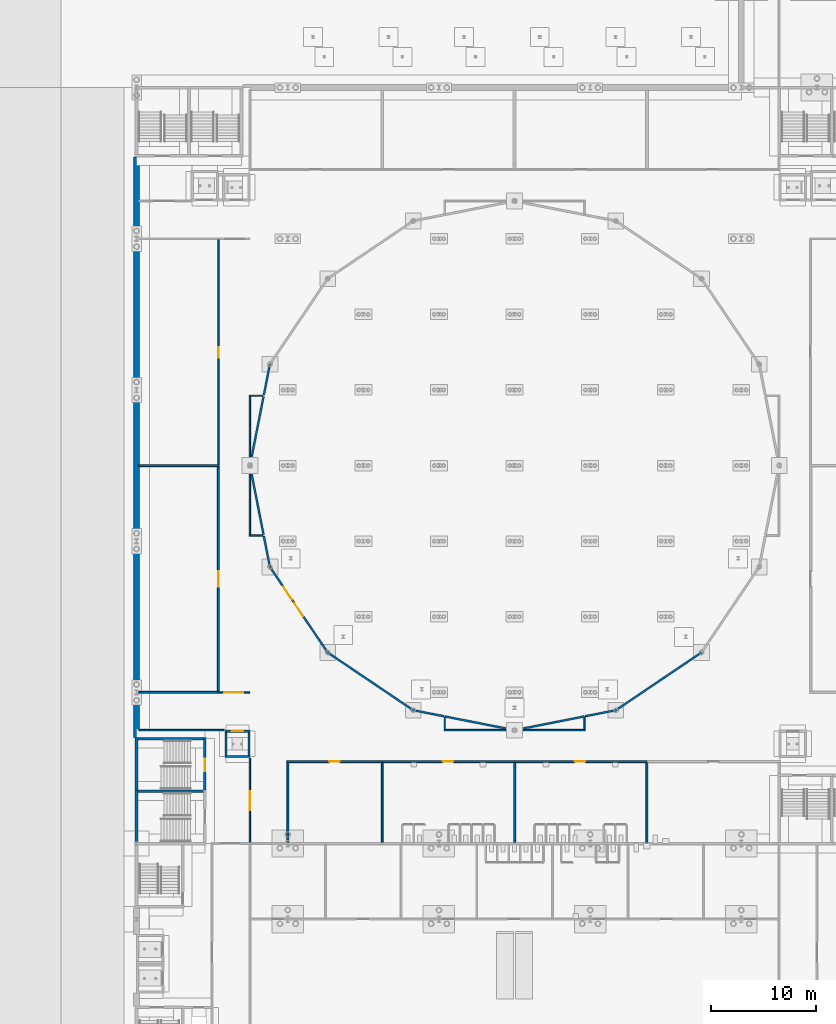
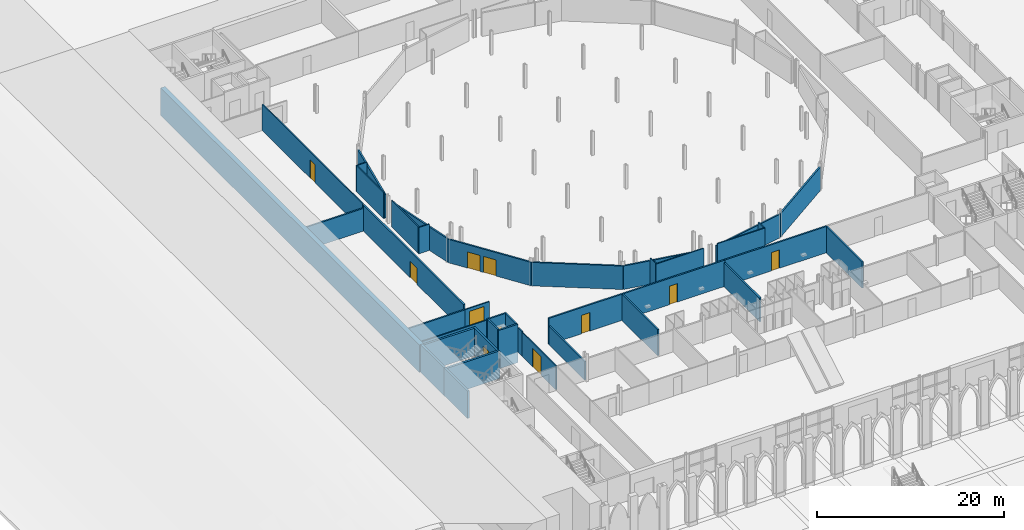
# One storey, part 81 of 148: 44 walls, 11 doors, 11 openings.
"""IFC4 building model written with IfcOpenShell, lengths in metres."""

from ifc_helpers import new_model, si_unit, direction, frame, frame_2d, origin, place, context, subcontext, project, spatial, rectangle, extrude, material, layer, layer_set, type_object, element, fill, save


model = new_model("IFC4")

# Units and contexts
model_context = context("Model", 3, precision=1e-05, world=origin(), true_north=direction((0.0, 1.0)))
body_context = subcontext(model_context, "Body", "Model", "MODEL_VIEW")
ifc_project = project(units=[si_unit("LENGTHUNIT", "METRE"), si_unit("AREAUNIT", "SQUARE_METRE"), si_unit("VOLUMEUNIT", "CUBIC_METRE"), si_unit("PLANEANGLEUNIT", "RADIAN"), si_unit("MASSUNIT", "GRAM", prefix="KILO")], contexts=[model_context])

# Site, building, storey
site_placement = place(None, origin())
site = spatial("IfcSite", under=ifc_project, at=site_placement, CompositionType="ELEMENT")
building_placement = place(site_placement, origin())
building = spatial("IfcBuilding", under=site, at=building_placement, Name="Kupolbacken Congress Centre", CompositionType="ELEMENT")
storey_placement = place(building_placement, origin())
storey = spatial("IfcBuildingStorey", under=building, at=storey_placement, Name="L00", CompositionType="ELEMENT", Elevation=0.0)

# Walls
ifc_material_1 = material(Name="Gypsum board", Category="drywall")
ifc_layer_1 = layer(ifc_material_1, 0.135009765625)
ifc_layer_set_1 = layer_set([ifc_layer_1], Name="Gypsum board")
wall_type_1 = type_object("IfcWallType", Name="P06 compartment wall 135", PredefinedType="PARTITIONING", material=ifc_layer_set_1)
wall_1_placement = place(storey_placement, frame((18.0, 58.5400390625, 0.0), z_axis=(0.0, 0.0, 1.0), x_axis=(0.0, -1.0, 0.0)))
element("IfcWall", 1, at=wall_1_placement, inside=storey, type_object=wall_type_1, Name="PD/L00/W004", PredefinedType="PARTITIONING", context=body_context, shape_type="SweptSolid", body=[
    extrude(rectangle(XDim=0.860107421875, YDim=0.135009765625, at=frame_2d((0.43017578125, 0.0))), origin(), (0.0, 0.0, 1.0), 3.2099609375),
])
wall_2_placement = place(storey_placement, frame((7.419921875, 61.199951171875, 0.0), z_axis=(0.0, 0.0, 1.0), x_axis=(1.0, 0.0, 0.0)))
element("IfcWall", 2, at=wall_2_placement, inside=storey, type_object=wall_type_1, Name="PD/L00/W005", PredefinedType="PARTITIONING", context=body_context, shape_type="SweptSolid", body=[
    extrude(rectangle(XDim=8.1201171875, YDim=0.135009765625, at=frame_2d((4.06005859375, 0.0))), origin(), (0.0, 0.0, 1.0), 3.419921875),
])

# Wall, opening, door
wall_3_placement = place(storey_placement, frame((15.0, 107.9326171875, 0.0), z_axis=(0.0, 0.0, 1.0), x_axis=(0.0, -1.0, 0.0)))
wall_3 = element("IfcWall", 3, at=wall_3_placement, inside=storey, type_object=wall_type_1, Name="PD/L00/W084", PredefinedType="PARTITIONING", context=body_context, shape_type="SweptSolid", body=[
    extrude(rectangle(XDim=21.4375, YDim=0.135009765625, at=frame_2d((10.71875, 0.0))), origin(), (0.0, 0.0, 1.0), 3.419921875),
])
opening_1_placement = place(wall_3_placement, frame((10.25, 0.0, 0.0)))
opening_1 = element("IfcOpeningElement", 4, at=opening_1_placement, cuts=wall_3, Name="Opening 0.P12", PredefinedType="OPENING", context=body_context, shape_type="SweptSolid", body=[
    extrude(rectangle(XDim=1.0, YDim=2.39990234375, at=frame_2d((0.5, 1.199951171875))), frame((0.0, 0.077392578125, 0.0), z_axis=(0.0, -1.0, 0.0), x_axis=(1.0, 0.0, 0.0)), (0.0, 0.0, 1.0), 0.155029296875),
])
ifc_material_2 = material(Name="Steel fire door leaf", Category="steel")
door_type_1 = type_object("IfcDoorType", Name="D8 fire door 1000x2400", OperationType="SINGLE_SWING_LEFT", PredefinedType="DOOR", material=ifc_material_2)
door_1_placement = place(opening_1_placement, frame((1.0, 0.0, 0.0), z_axis=(0.0, 0.0, 1.0), x_axis=(-1.0, 0.0, 0.0)))
door_1 = element("IfcDoor", 5, at=door_1_placement, inside=storey, type_object=door_type_1, Name="PD/L00/W084/D0P12", OperationType="SINGLE_SWING_RIGHT", OverallHeight=2.39990234375, OverallWidth=1.0, PredefinedType="DOOR", context=body_context, shape_type="SweptSolid", body=[
    extrude(rectangle(XDim=1.0, YDim=2.39990234375, at=frame_2d((0.5, 1.199951171875))), frame((0.0, 0.02490234375, 0.0), z_axis=(0.0, -1.0, 0.0), x_axis=(1.0, 0.0, 0.0)), (0.0, 0.0, 1.0), 0.050048828125),
])
fill(opening_1, door_1)

wall_4_placement = place(storey_placement, frame((15.0, 64.800048828125, 0.0), z_axis=(0.0, 0.0, 1.0), x_axis=(1.0, 0.0, 0.0)))
wall_4 = element("IfcWall", 6, at=wall_4_placement, inside=storey, type_object=wall_type_1, Name="PD/L00/W105", PredefinedType="PARTITIONING", context=body_context, shape_type="SweptSolid", body=[
    extrude(rectangle(XDim=3.0, YDim=0.135009765625, at=frame_2d((1.5, 0.0))), origin(), (0.0, 0.0, 1.0), 2.81005859375),
])
opening_2_placement = place(wall_4_placement, frame((0.550048828125, 0.0, 0.0)))
opening_2 = element("IfcOpeningElement", 7, at=opening_2_placement, cuts=wall_4, Name="Opening 0.P28", PredefinedType="OPENING", context=body_context, shape_type="SweptSolid", body=[
    extrude(rectangle(XDim=1.800048828125, YDim=2.39990234375, at=frame_2d((0.89990234375, 1.199951171875))), frame((0.0, 0.077392578125, 0.0), z_axis=(0.0, -1.0, 0.0), x_axis=(1.0, 0.0, 0.0)), (0.0, 0.0, 1.0), 0.155029296875),
])
ifc_material_3 = material(Name="Steel fire door leaf", Category="steel")
door_type_2 = type_object("IfcDoorType", Name="D15 fire door 1800x2400", OperationType="DOUBLE_DOOR_SINGLE_SWING", PredefinedType="DOOR", material=ifc_material_3)
door_2_placement = place(opening_2_placement, origin())
door_2 = element("IfcDoor", 8, at=door_2_placement, inside=storey, type_object=door_type_2, Name="PD/L00/W105/D0P28", OperationType="DOUBLE_DOOR_SINGLE_SWING", OverallHeight=2.39990234375, OverallWidth=1.800048828125, PredefinedType="DOOR", context=body_context, shape_type="SweptSolid", body=[
    extrude(rectangle(XDim=1.800048828125, YDim=2.39990234375, at=frame_2d((0.89990234375, 1.199951171875))), frame((0.0, 0.02490234375, 0.0), z_axis=(0.0, -1.0, 0.0), x_axis=(1.0, 0.0, 0.0)), (0.0, 0.0, 1.0), 0.050048828125),
])
fill(opening_2, door_2)

# Walls
wall_5_placement = place(storey_placement, frame((18.0, 85.550048828125, 0.0), z_axis=(0.0, 0.0, 1.0), x_axis=(0.0, -1.0, 0.0)))
element("IfcWall", 9, at=wall_5_placement, inside=storey, type_object=wall_type_1, Name="PD/L00/W107", PredefinedType="PARTITIONING", context=body_context, shape_type="SweptSolid", body=[
    extrude(rectangle(XDim=5.732666015625, YDim=0.135009765625, at=frame_2d((2.8662109375, 0.0))), origin(), (0.0, 0.0, 1.0), 3.419921875),
])
wall_6_placement = place(storey_placement, frame((18.0, 92.982421875, 0.0), z_axis=(0.0, 0.0, 1.0), x_axis=(0.0, -1.0, 0.0)))
element("IfcWall", 10, at=wall_6_placement, inside=storey, type_object=wall_type_1, Name="PD/L00/W108", PredefinedType="PARTITIONING", context=body_context, shape_type="SweptSolid", body=[
    extrude(rectangle(XDim=5.732421875, YDim=0.135009765625, at=frame_2d((2.8662109375, 0.0))), origin(), (0.0, 0.0, 1.0), 3.419921875),
])
wall_7_placement = place(storey_placement, frame((36.482421875, 61.199951171875, 0.0), z_axis=(0.0, 0.0, 1.0), x_axis=(1.0, 0.0, 0.0)))
element("IfcWall", 11, at=wall_7_placement, inside=storey, type_object=wall_type_1, Name="PD/L00/W113", PredefinedType="PARTITIONING", context=body_context, shape_type="SweptSolid", body=[
    extrude(rectangle(XDim=5.86767578125, YDim=0.135009765625, at=frame_2d((2.933837890625, 0.0))), origin(), (0.0, 0.0, 1.0), 3.419921875),
])
wall_8_placement = place(storey_placement, frame((44.050048828125, 61.199951171875, 0.0), z_axis=(0.0, 0.0, 1.0), x_axis=(1.0, 0.0, 0.0)))
element("IfcWall", 12, at=wall_8_placement, inside=storey, type_object=wall_type_1, Name="PD/L00/W114", PredefinedType="PARTITIONING", context=body_context, shape_type="SweptSolid", body=[
    extrude(rectangle(XDim=5.867431640625, YDim=0.135009765625, at=frame_2d((2.93359375, 0.0))), origin(), (0.0, 0.0, 1.0), 3.419921875),
])
wall_9_placement = place(storey_placement, frame((36.550048828125, 62.414306640625, 0.0), z_axis=(0.0, 0.0, 1.0), x_axis=(0.0, -1.0, 0.0)))
element("IfcWall", 13, at=wall_9_placement, inside=storey, type_object=wall_type_1, Name="PD/L00/W115", PredefinedType="PARTITIONING", context=body_context, shape_type="SweptSolid", body=[
    extrude(rectangle(XDim=1.146728515625, YDim=0.135009765625, at=frame_2d((0.5732421875, 0.0))), origin(), (0.0, 0.0, 1.0), 3.419921875),
])
wall_10_placement = place(storey_placement, frame((17.9326171875, 79.75, 0.0), z_axis=(0.0, 0.0, 1.0), x_axis=(1.0, 0.0, 0.0)))
element("IfcWall", 14, at=wall_10_placement, inside=storey, type_object=wall_type_1, Name="PD/L00/W116", PredefinedType="PARTITIONING", context=body_context, shape_type="SweptSolid", body=[
    extrude(rectangle(XDim=1.28173828125, YDim=0.135009765625, at=frame_2d((0.640869140625, 0.0))), origin(), (0.0, 0.0, 1.0), 3.419921875),
])
wall_11_placement = place(storey_placement, frame((49.85009765625, 61.267578125, 0.0), z_axis=(0.0, 0.0, 1.0), x_axis=(0.0, 1.0, 0.0)))
element("IfcWall", 15, at=wall_11_placement, inside=storey, type_object=wall_type_1, Name="PD/L00/W117", PredefinedType="PARTITIONING", context=body_context, shape_type="SweptSolid", body=[
    extrude(rectangle(XDim=1.146728515625, YDim=0.135009765625, at=frame_2d((0.5732421875, 0.0))), origin(), (0.0, 0.0, 1.0), 3.419921875),
])
wall_12_placement = place(storey_placement, frame((19.21435546875, 93.050048828125, 0.0), z_axis=(0.0, 0.0, 1.0), x_axis=(-1.0, 0.0, 0.0)))
element("IfcWall", 16, at=wall_12_placement, inside=storey, type_object=wall_type_1, Name="PD/L00/W120", PredefinedType="PARTITIONING", context=body_context, shape_type="SweptSolid", body=[
    extrude(rectangle(XDim=1.28173828125, YDim=0.135009765625, at=frame_2d((0.640869140625, 0.0))), origin(), (0.0, 0.0, 1.0), 3.419921875),
])

# Wall, opening, door
wall_13_placement = place(storey_placement, frame((18.0, 57.679931640625, 0.0), z_axis=(0.0, 0.0, 1.0), x_axis=(0.0, -1.0, 0.0)))
wall_13 = element("IfcWall", 17, at=wall_13_placement, inside=storey, type_object=wall_type_1, Name="PD/L00/W004.h1", PredefinedType="PARTITIONING", context=body_context, shape_type="SweptSolid", body=[
    extrude(rectangle(XDim=7.21240234375, YDim=0.135009765625, at=frame_2d((3.606201171875, 0.0))), origin(), (0.0, 0.0, 1.0), 3.110107421875),
])
opening_3_placement = place(wall_13_placement, frame((2.2900390625, 0.0, 0.0)))
opening_3 = element("IfcOpeningElement", 18, at=opening_3_placement, cuts=wall_13, Name="Opening 0.P29", PredefinedType="OPENING", context=body_context, shape_type="SweptSolid", body=[
    extrude(rectangle(XDim=1.800048828125, YDim=2.39990234375, at=frame_2d((0.89990234375, 1.199951171875))), frame((0.0, 0.077392578125, 0.0), z_axis=(0.0, -1.0, 0.0), x_axis=(1.0, 0.0, 0.0)), (0.0, 0.0, 1.0), 0.155029296875),
])
door_3_placement = place(opening_3_placement, origin())
door_3 = element("IfcDoor", 19, at=door_3_placement, inside=storey, type_object=door_type_2, Name="PD/L00/W004/D0P29", OperationType="DOUBLE_DOOR_SINGLE_SWING", OverallHeight=2.39990234375, OverallWidth=1.800048828125, PredefinedType="DOOR", context=body_context, shape_type="SweptSolid", body=[
    extrude(rectangle(XDim=1.800048828125, YDim=2.39990234375, at=frame_2d((0.89990234375, 1.199951171875))), frame((0.0, 0.02490234375, 0.0), z_axis=(0.0, -1.0, 0.0), x_axis=(1.0, 0.0, 0.0)), (0.0, 0.0, 1.0), 0.050048828125),
])
fill(opening_3, door_3)

# Walls
ifc_material_4 = material(Name="Gypsum board", Category="drywall")
ifc_layer_2 = layer(ifc_material_4, 0.18994140625)
ifc_layer_set_2 = layer_set([ifc_layer_2], Name="Gypsum board")
wall_type_2 = type_object("IfcWallType", Name="P10 partition 190", PredefinedType="PARTITIONING", material=ifc_layer_set_2)
wall_14_placement = place(storey_placement, frame((36.48388671875, 62.5224609375, 0.0), z_axis=(0.0, 0.0, 1.0), x_axis=(-0.98116351696, 0.193179069745, 0.0)))
element("IfcWall", 20, at=wall_14_placement, inside=storey, type_object=wall_type_2, Name="PD/L00/W056", PredefinedType="PARTITIONING", context=body_context, shape_type="SweptSolid", body=[
    extrude(rectangle(XDim=2.990234375, YDim=0.18994140625, at=frame_2d((1.4951171875, 0.0))), origin(), (0.0, 0.0, 1.0), 3.06005859375),
])
wall_15_placement = place(storey_placement, frame((33.550048828125, 63.10009765625, 0.0), z_axis=(0.0, 0.0, 1.0), x_axis=(-0.828912285216, 0.559378604719, 0.0)))
element("IfcWall", 21, at=wall_15_placement, inside=storey, type_object=wall_type_2, Name="PD/L00/W057", PredefinedType="PARTITIONING", context=body_context, shape_type="SweptSolid", body=[
    extrude(rectangle(XDim=9.832275390625, YDim=0.18994140625, at=frame_2d((4.916015625, 0.0))), origin(), (0.0, 0.0, 1.0), 3.06005859375),
])

# Wall, openings, doors
wall_16_placement = place(storey_placement, frame((25.39990234375, 68.60009765625, 0.0), z_axis=(0.0, 0.0, 1.0), x_axis=(-0.559390118145, 0.828904515443, 0.0)))
wall_16 = element("IfcWall", 22, at=wall_16_placement, inside=storey, type_object=wall_type_2, Name="PD/L00/W058", PredefinedType="PARTITIONING", context=body_context, shape_type="SweptSolid", body=[
    extrude(rectangle(XDim=9.83203125, YDim=0.18994140625, at=frame_2d((4.916015625, 0.0))), origin(), (0.0, 0.0, 1.0), 3.06005859375),
])
opening_4_placement = place(wall_16_placement, frame((4.14990234375, 0.0, 0.0)))
opening_4 = element("IfcOpeningElement", 23, at=opening_4_placement, cuts=wall_16, Name="Opening 0.P09", PredefinedType="OPENING", context=body_context, shape_type="SweptSolid", body=[
    extrude(rectangle(XDim=1.5, YDim=2.10009765625, at=frame_2d((0.75, 1.050048828125))), frame((0.0, 0.10498046875, 0.0), z_axis=(0.0, -1.0, 0.0), x_axis=(1.0, 0.0, 0.0)), (0.0, 0.0, 1.0), 0.2099609375),
])
opening_5_placement = place(wall_16_placement, frame((6.050048828125, 0.0, 0.0)))
opening_5 = element("IfcOpeningElement", 24, at=opening_5_placement, cuts=wall_16, Name="Opening 0.P10", PredefinedType="OPENING", context=body_context, shape_type="SweptSolid", body=[
    extrude(rectangle(XDim=1.5, YDim=2.10009765625, at=frame_2d((0.75, 1.050048828125))), frame((0.0, 0.10498046875, 0.0), z_axis=(0.0, -1.0, 0.0), x_axis=(1.0, 0.0, 0.0)), (0.0, 0.0, 1.0), 0.2099609375),
])
ifc_material_5 = material(Name="Steel fire door leaf", Category="steel")
door_type_3 = type_object("IfcDoorType", Name="D12 fire door 1500x2100", OperationType="DOUBLE_DOOR_SINGLE_SWING", PredefinedType="DOOR", material=ifc_material_5)
door_4_placement = place(opening_4_placement, origin())
door_4 = element("IfcDoor", 25, at=door_4_placement, inside=storey, type_object=door_type_3, Name="PD/L00/W058/D0P09", OperationType="DOUBLE_DOOR_SINGLE_SWING", OverallHeight=2.10009765625, OverallWidth=1.5, PredefinedType="DOOR", context=body_context, shape_type="SweptSolid", body=[
    extrude(rectangle(XDim=1.5, YDim=2.10009765625, at=frame_2d((0.75, 1.050048828125))), frame((0.0, 0.02490234375, 0.0), z_axis=(0.0, -1.0, 0.0), x_axis=(1.0, 0.0, 0.0)), (0.0, 0.0, 1.0), 0.050048828125),
])
fill(opening_4, door_4)
door_5_placement = place(opening_5_placement, origin())
door_5 = element("IfcDoor", 26, at=door_5_placement, inside=storey, type_object=door_type_3, Name="PD/L00/W058/D0P10", OperationType="DOUBLE_DOOR_SINGLE_SWING", OverallHeight=2.10009765625, OverallWidth=1.5, PredefinedType="DOOR", context=body_context, shape_type="SweptSolid", body=[
    extrude(rectangle(XDim=1.5, YDim=2.10009765625, at=frame_2d((0.75, 1.050048828125))), frame((0.0, 0.02490234375, 0.0), z_axis=(0.0, -1.0, 0.0), x_axis=(1.0, 0.0, 0.0)), (0.0, 0.0, 1.0), 0.050048828125),
])
fill(opening_5, door_5)

# Walls
wall_17_placement = place(storey_placement, frame((19.89990234375, 76.75, 0.0), z_axis=(0.0, 0.0, 1.0), x_axis=(-0.193179069745, 0.98116351696, 0.0)))
element("IfcWall", 27, at=wall_17_placement, inside=storey, type_object=wall_type_2, Name="PD/L00/W059", PredefinedType="PARTITIONING", context=body_context, shape_type="SweptSolid", body=[
    extrude(rectangle(XDim=2.990234375, YDim=0.18994140625, at=frame_2d((1.4951171875, 0.0))), origin(), (0.0, 0.0, 1.0), 3.06005859375),
])
wall_18_placement = place(storey_placement, frame((42.365966796875, 61.3642578125, 0.0), z_axis=(0.0, 0.0, 1.0), x_axis=(-0.981165545066, 0.193168768632, 0.0)))
element("IfcWall", 28, at=wall_18_placement, inside=storey, type_object=wall_type_2, Name="PD/L00/W060", PredefinedType="PARTITIONING", context=body_context, shape_type="SweptSolid", body=[
    extrude(rectangle(XDim=5.927490234375, YDim=0.18994140625, at=frame_2d((2.9638671875, 0.0))), origin(), (0.0, 0.0, 1.0), 3.06005859375),
])
wall_19_placement = place(storey_placement, frame((19.29638671875, 79.816162109375, 0.0), z_axis=(0.0, 0.0, 1.0), x_axis=(-0.193182951231, 0.981162752735, 0.0)))
element("IfcWall", 29, at=wall_19_placement, inside=storey, type_object=wall_type_2, Name="PD/L00/W061", PredefinedType="PARTITIONING", context=body_context, shape_type="SweptSolid", body=[
    extrude(rectangle(XDim=5.860107421875, YDim=0.18994140625, at=frame_2d((2.93017578125, 0.0))), origin(), (0.0, 0.0, 1.0), 3.06005859375),
])
wall_20_placement = place(storey_placement, frame((61.0, 68.60009765625, 0.0), z_axis=(0.0, 0.0, 1.0), x_axis=(-0.828904515443, -0.559390118145, 0.0)))
element("IfcWall", 30, at=wall_20_placement, inside=storey, type_object=wall_type_2, Name="PD/L00/W064", PredefinedType="PARTITIONING", context=body_context, shape_type="SweptSolid", body=[
    extrude(rectangle(XDim=9.83203125, YDim=0.18994140625, at=frame_2d((4.916015625, 0.0))), origin(), (0.0, 0.0, 1.0), 3.06005859375),
])
wall_21_placement = place(storey_placement, frame((52.85009765625, 63.10009765625, 0.0), z_axis=(0.0, 0.0, 1.0), x_axis=(-0.98116351696, -0.193179069745, 0.0)))
element("IfcWall", 31, at=wall_21_placement, inside=storey, type_object=wall_type_2, Name="PD/L00/W065", PredefinedType="PARTITIONING", context=body_context, shape_type="SweptSolid", body=[
    extrude(rectangle(XDim=2.990234375, YDim=0.18994140625, at=frame_2d((1.4951171875, 0.0))), origin(), (0.0, 0.0, 1.0), 3.06005859375),
])
wall_22_placement = place(storey_placement, frame((49.85009765625, 62.50927734375, 0.0), z_axis=(0.0, 0.0, 1.0), x_axis=(-0.981167081846, -0.193160962677, 0.0)))
element("IfcWall", 32, at=wall_22_placement, inside=storey, type_object=wall_type_2, Name="PD/L00/W066", PredefinedType="PARTITIONING", context=body_context, shape_type="SweptSolid", body=[
    extrude(rectangle(XDim=5.927734375, YDim=0.18994140625, at=frame_2d((2.9638671875, 0.0))), origin(), (0.0, 0.0, 1.0), 3.06005859375),
])
wall_23_placement = place(storey_placement, frame((19.322265625, 93.1162109375, 0.0), z_axis=(0.0, 0.0, 1.0), x_axis=(0.193179069745, 0.98116351696, 0.0)))
element("IfcWall", 33, at=wall_23_placement, inside=storey, type_object=wall_type_2, Name="PD/L00/W068", PredefinedType="PARTITIONING", context=body_context, shape_type="SweptSolid", body=[
    extrude(rectangle(XDim=2.990234375, YDim=0.18994140625, at=frame_2d((1.4951171875, 0.0))), origin(), (0.0, 0.0, 1.0), 3.06005859375),
])
wall_24_placement = place(storey_placement, frame((18.164306640625, 87.23388671875, 0.0), z_axis=(0.0, 0.0, 1.0), x_axis=(0.193175054921, 0.981164307421, 0.0)))
element("IfcWall", 34, at=wall_24_placement, inside=storey, type_object=wall_type_2, Name="PD/L00/W073", PredefinedType="PARTITIONING", context=body_context, shape_type="SweptSolid", body=[
    extrude(rectangle(XDim=5.8603515625, YDim=0.18994140625, at=frame_2d((2.93017578125, 0.0))), origin(), (0.0, 0.0, 1.0), 3.06005859375),
])
wall_25_placement = place(storey_placement, frame((7.419921875, 86.39990234375, 0.0), z_axis=(0.0, 0.0, 1.0), x_axis=(1.0, 0.0, 0.0)))
element("IfcWall", 35, at=wall_25_placement, inside=storey, type_object=wall_type_2, Name="PD/L00/W080", PredefinedType="PARTITIONING", context=body_context, shape_type="SweptSolid", body=[
    extrude(rectangle(XDim=7.675048828125, YDim=0.18994140625, at=frame_2d((3.83740234375, 0.0))), origin(), (0.0, 0.0, 1.0), 2.9599609375),
])
wall_26_placement = place(storey_placement, frame((15.0, 64.800048828125, 0.0), z_axis=(0.0, 0.0, 1.0), x_axis=(-1.0, 0.0, 0.0)))
element("IfcWall", 36, at=wall_26_placement, inside=storey, type_object=wall_type_2, Name="PD/L00/W081", PredefinedType="PARTITIONING", context=body_context, shape_type="SweptSolid", body=[
    extrude(rectangle(XDim=7.580078125, YDim=0.18994140625, at=frame_2d((3.7900390625, 0.0))), origin(), (0.0, 0.0, 1.0), 2.81005859375),
])

# Wall, opening, door
wall_27_placement = place(storey_placement, frame((15.0, 86.304931640625, 0.0), z_axis=(0.0, 0.0, 1.0), x_axis=(0.0, -1.0, 0.0)))
wall_27 = element("IfcWall", 37, at=wall_27_placement, inside=storey, type_object=wall_type_2, Name="PD/L00/W082", PredefinedType="PARTITIONING", context=body_context, shape_type="SweptSolid", body=[
    extrude(rectangle(XDim=21.409912109375, YDim=0.18994140625, at=frame_2d((10.705078125, 0.0))), origin(), (0.0, 0.0, 1.0), 3.419921875),
])
opening_6_placement = place(wall_27_placement, frame((9.949951171875, 0.0, 0.0)))
opening_6 = element("IfcOpeningElement", 38, at=opening_6_placement, cuts=wall_27, Name="Opening 0.P11", PredefinedType="OPENING", context=body_context, shape_type="SweptSolid", body=[
    extrude(rectangle(XDim=1.5, YDim=2.10009765625, at=frame_2d((0.75, 1.050048828125))), frame((0.0, 0.10498046875, 0.0), z_axis=(0.0, -1.0, 0.0), x_axis=(1.0, 0.0, 0.0)), (0.0, 0.0, 1.0), 0.2099609375),
])
door_6_placement = place(opening_6_placement, frame((1.5, 0.0, 0.0), z_axis=(0.0, 0.0, 1.0), x_axis=(-1.0, 0.0, 0.0)))
door_6 = element("IfcDoor", 39, at=door_6_placement, inside=storey, type_object=door_type_3, Name="PD/L00/W082/D0P11", OperationType="DOUBLE_DOOR_SINGLE_SWING", OverallHeight=2.10009765625, OverallWidth=1.5, PredefinedType="DOOR", context=body_context, shape_type="SweptSolid", body=[
    extrude(rectangle(XDim=1.5, YDim=2.10009765625, at=frame_2d((0.75, 1.050048828125))), frame((0.0, 0.02490234375, 0.0), z_axis=(0.0, -1.0, 0.0), x_axis=(1.0, 0.0, 0.0)), (0.0, 0.0, 1.0), 0.050048828125),
])
fill(opening_6, door_6)

# Walls
wall_28_placement = place(storey_placement, frame((30.60009765625, 58.10498046875, 0.0), z_axis=(0.0, 0.0, 1.0), x_axis=(0.0, -1.0, 0.0)))
element("IfcWall", 40, at=wall_28_placement, inside=storey, type_object=wall_type_2, Name="PD/L00/W097", PredefinedType="PARTITIONING", context=body_context, shape_type="SweptSolid", body=[
    extrude(rectangle(XDim=7.60986328125, YDim=0.18994140625, at=frame_2d((3.804931640625, 0.0))), origin(), (0.0, 0.0, 1.0), 3.419921875),
])
wall_29_placement = place(storey_placement, frame((21.60009765625, 50.4951171875, 0.0), z_axis=(0.0, 0.0, 1.0), x_axis=(0.0, 1.0, 0.0)))
element("IfcWall", 41, at=wall_29_placement, inside=storey, type_object=wall_type_2, Name="PD/L00/W098", PredefinedType="PARTITIONING", context=body_context, shape_type="SweptSolid", body=[
    extrude(rectangle(XDim=7.60986328125, YDim=0.18994140625, at=frame_2d((3.804931640625, 0.0))), origin(), (0.0, 0.0, 1.0), 2.409912109375),
])

# Wall, opening, door
wall_30_placement = place(storey_placement, frame((21.5048828125, 58.199951171875, 0.0), z_axis=(0.0, 0.0, 1.0), x_axis=(1.0, 0.0, 0.0)))
wall_30 = element("IfcWall", 42, at=wall_30_placement, inside=storey, type_object=wall_type_2, Name="PD/L00/W099", PredefinedType="PARTITIONING", context=body_context, shape_type="SweptSolid", body=[
    extrude(rectangle(XDim=9.09521484375, YDim=0.18994140625, at=frame_2d((4.547607421875, 0.0))), origin(), (0.0, 0.0, 1.0), 3.419921875),
])
opening_7_placement = place(wall_30_placement, frame((4.050048828125, 0.0, 0.0)))
opening_7 = element("IfcOpeningElement", 43, at=opening_7_placement, cuts=wall_30, Name="Opening 0.P19", PredefinedType="OPENING", context=body_context, shape_type="SweptSolid", body=[
    extrude(rectangle(XDim=1.0, YDim=2.39990234375, at=frame_2d((0.5, 1.199951171875))), frame((0.0, 0.10498046875, 0.0), z_axis=(0.0, -1.0, 0.0), x_axis=(1.0, 0.0, 0.0)), (0.0, 0.0, 1.0), 0.2099609375),
])
door_7_placement = place(opening_7_placement, frame((1.0, 0.0, 0.0), z_axis=(0.0, 0.0, 1.0), x_axis=(-1.0, 0.0, 0.0)))
door_7 = element("IfcDoor", 44, at=door_7_placement, inside=storey, type_object=door_type_1, Name="PD/L00/W099/D0P19", OperationType="SINGLE_SWING_RIGHT", OverallHeight=2.39990234375, OverallWidth=1.0, PredefinedType="DOOR", context=body_context, shape_type="SweptSolid", body=[
    extrude(rectangle(XDim=1.0, YDim=2.39990234375, at=frame_2d((0.5, 1.199951171875))), frame((0.0, 0.02490234375, 0.0), z_axis=(0.0, -1.0, 0.0), x_axis=(1.0, 0.0, 0.0)), (0.0, 0.0, 1.0), 0.050048828125),
])
fill(opening_7, door_7)

# Wall
wall_31_placement = place(storey_placement, frame((43.199951171875, 58.10498046875, 0.0), z_axis=(0.0, 0.0, 1.0), x_axis=(0.0, -1.0, 0.0)))
element("IfcWall", 45, at=wall_31_placement, inside=storey, type_object=wall_type_2, Name="PD/L00/W100", PredefinedType="PARTITIONING", context=body_context, shape_type="SweptSolid", body=[
    extrude(rectangle(XDim=7.60986328125, YDim=0.18994140625, at=frame_2d((3.804931640625, 0.0))), origin(), (0.0, 0.0, 1.0), 3.110107421875),
])

# Wall, opening, door
wall_32_placement = place(storey_placement, frame((30.60009765625, 58.199951171875, 0.0), z_axis=(0.0, 0.0, 1.0), x_axis=(1.0, 0.0, 0.0)))
wall_32 = element("IfcWall", 46, at=wall_32_placement, inside=storey, type_object=wall_type_2, Name="PD/L00/W101", PredefinedType="PARTITIONING", context=body_context, shape_type="SweptSolid", body=[
    extrude(rectangle(XDim=12.599853515625, YDim=0.18994140625, at=frame_2d((6.2998046875, 0.0))), origin(), (0.0, 0.0, 1.0), 3.419921875),
])
opening_8_placement = place(wall_32_placement, frame((5.75, 0.0, 0.0)))
opening_8 = element("IfcOpeningElement", 47, at=opening_8_placement, cuts=wall_32, Name="Opening 0.P20", PredefinedType="OPENING", context=body_context, shape_type="SweptSolid", body=[
    extrude(rectangle(XDim=1.0, YDim=2.39990234375, at=frame_2d((0.5, 1.199951171875))), frame((0.0, 0.10498046875, 0.0), z_axis=(0.0, -1.0, 0.0), x_axis=(1.0, 0.0, 0.0)), (0.0, 0.0, 1.0), 0.2099609375),
])
door_8_placement = place(opening_8_placement, frame((1.0, 0.0, 0.0), z_axis=(0.0, 0.0, 1.0), x_axis=(-1.0, 0.0, 0.0)))
door_8 = element("IfcDoor", 48, at=door_8_placement, inside=storey, type_object=door_type_1, Name="PD/L00/W101/D0P20", OperationType="SINGLE_SWING_LEFT", OverallHeight=2.39990234375, OverallWidth=1.0, PredefinedType="DOOR", context=body_context, shape_type="SweptSolid", body=[
    extrude(rectangle(XDim=1.0, YDim=2.39990234375, at=frame_2d((0.5, 1.199951171875))), frame((0.0, 0.02490234375, 0.0), z_axis=(0.0, -1.0, 0.0), x_axis=(1.0, 0.0, 0.0)), (0.0, 0.0, 1.0), 0.050048828125),
])
fill(opening_8, door_8)

# Wall
wall_33_placement = place(storey_placement, frame((55.800048828125, 58.10498046875, 0.0), z_axis=(0.0, 0.0, 1.0), x_axis=(0.0, -1.0, 0.0)))
element("IfcWall", 49, at=wall_33_placement, inside=storey, type_object=wall_type_2, Name="PD/L00/W102", PredefinedType="PARTITIONING", context=body_context, shape_type="SweptSolid", body=[
    extrude(rectangle(XDim=7.60986328125, YDim=0.18994140625, at=frame_2d((3.804931640625, 0.0))), origin(), (0.0, 0.0, 1.0), 3.419921875),
])

# Wall, opening, door
wall_34_placement = place(storey_placement, frame((43.199951171875, 58.199951171875, 0.0), z_axis=(0.0, 0.0, 1.0), x_axis=(1.0, 0.0, 0.0)))
wall_34 = element("IfcWall", 50, at=wall_34_placement, inside=storey, type_object=wall_type_2, Name="PD/L00/W103", PredefinedType="PARTITIONING", context=body_context, shape_type="SweptSolid", body=[
    extrude(rectangle(XDim=12.60009765625, YDim=0.18994140625, at=frame_2d((6.300048828125, 0.0))), origin(), (0.0, 0.0, 1.0), 3.419921875),
])
opening_9_placement = place(wall_34_placement, frame((5.75, 0.0, 0.0)))
opening_9 = element("IfcOpeningElement", 51, at=opening_9_placement, cuts=wall_34, Name="Opening 0.P21", PredefinedType="OPENING", context=body_context, shape_type="SweptSolid", body=[
    extrude(rectangle(XDim=1.0, YDim=2.39990234375, at=frame_2d((0.5, 1.199951171875))), frame((0.0, 0.10498046875, 0.0), z_axis=(0.0, -1.0, 0.0), x_axis=(1.0, 0.0, 0.0)), (0.0, 0.0, 1.0), 0.2099609375),
])
door_9_placement = place(opening_9_placement, frame((1.0, 0.0, 0.0), z_axis=(0.0, 0.0, 1.0), x_axis=(-1.0, 0.0, 0.0)))
door_9 = element("IfcDoor", 52, at=door_9_placement, inside=storey, type_object=door_type_1, Name="PD/L00/W103/D0P21", OperationType="SINGLE_SWING_LEFT", OverallHeight=2.39990234375, OverallWidth=1.0, PredefinedType="DOOR", context=body_context, shape_type="SweptSolid", body=[
    extrude(rectangle(XDim=1.0, YDim=2.39990234375, at=frame_2d((0.5, 1.199951171875))), frame((0.0, 0.02490234375, 0.0), z_axis=(0.0, -1.0, 0.0), x_axis=(1.0, 0.0, 0.0)), (0.0, 0.0, 1.0), 0.050048828125),
])
fill(opening_9, door_9)

# Walls
ifc_material_6 = material(Name="Concrete C30/37", Category="concrete")
ifc_layer_3 = layer(ifc_material_6, 0.550048828125)
ifc_layer_set_3 = layer_set([ifc_layer_3], Name="Concrete C30/37")
wall_type_3 = type_object("IfcWallType", Name="RW3 retaining wall 550", PredefinedType="SOLIDWALL", material=ifc_layer_set_3)
wall_35_placement = place(storey_placement, frame((7.199951171875, 60.52490234375, 0.0), z_axis=(0.0, 0.0, 1.0), x_axis=(0.0, 1.0, 0.0)))
element("IfcWall", 53, at=wall_35_placement, inside=storey, type_object=wall_type_3, Name="Retaining wall BF08 L00", PredefinedType="SOLIDWALL", context=body_context, shape_type="SweptSolid", body=[
    extrude(rectangle(XDim=55.25, YDim=0.550048828125, at=frame_2d((27.625, 0.0))), origin(), (0.0, 0.0, 1.0), 3.60009765625),
])
ifc_material_7 = material(Name="Concrete C40/50", Category="concrete")
ifc_layer_4 = layer(ifc_material_7, 0.199951171875)
ifc_layer_set_4 = layer_set([ifc_layer_4], Name="Concrete C40/50")
wall_type_4 = type_object("IfcWallType", Name="WC1 RC shaft wall 200", PredefinedType="SHEAR", material=ifc_layer_set_4)
wall_36_placement = place(storey_placement, frame((15.60009765625, 58.699951171875, -1.39990234375), z_axis=(0.0, 0.0, 1.0), x_axis=(1.0, 0.0, 0.0)))
element("IfcWall", 54, at=wall_36_placement, inside=storey, type_object=wall_type_4, Name="Shaft wall LP5", PredefinedType="SHEAR", context=body_context, shape_type="SweptSolid", body=[
    extrude(rectangle(XDim=2.39990234375, YDim=0.199951171875, at=frame_2d((1.199951171875, 0.0))), origin(), (0.0, 0.0, 1.0), 5.0),
])

# Wall, opening, door
wall_37_placement = place(storey_placement, frame((15.60009765625, 61.10009765625, -1.39990234375), z_axis=(0.0, 0.0, 1.0), x_axis=(1.0, 0.0, 0.0)))
wall_37 = element("IfcWall", 55, at=wall_37_placement, inside=storey, type_object=wall_type_4, Name="Shaft wall LP5", PredefinedType="SHEAR", context=body_context, shape_type="SweptSolid", body=[
    extrude(rectangle(XDim=2.39990234375, YDim=0.199951171875, at=frame_2d((1.199951171875, 0.0))), origin(), (0.0, 0.0, 1.0), 5.0),
])
opening_10_placement = place(wall_37_placement, frame((0.64990234375, 0.0, 1.39990234375)))
opening_10 = element("IfcOpeningElement", 56, at=opening_10_placement, cuts=wall_37, Name="Opening LD2", PredefinedType="OPENING", context=body_context, shape_type="SweptSolid", body=[
    extrude(rectangle(XDim=1.10009765625, YDim=2.10009765625, at=frame_2d((0.550048828125, 1.050048828125))), frame((0.0, 0.10986328125, 0.0), z_axis=(0.0, -1.0, 0.0), x_axis=(1.0, 0.0, 0.0)), (0.0, 0.0, 1.0), 0.219970703125),
])
ifc_material_8 = material(Name="Stainless steel door leaf", Category="steel")
door_type_4 = type_object("IfcDoorType", Name="LD2 lift landing door 1100x2100", OperationType="SLIDING_TO_LEFT", PredefinedType="DOOR", material=ifc_material_8)
door_10_placement = place(opening_10_placement, origin())
door_10 = element("IfcDoor", 57, at=door_10_placement, inside=storey, type_object=door_type_4, Name="Lift landing door LP5", OperationType="SLIDING_TO_LEFT", OverallHeight=2.10009765625, OverallWidth=1.10009765625, PredefinedType="DOOR", context=body_context, shape_type="SweptSolid", body=[
    extrude(rectangle(XDim=1.10009765625, YDim=2.10009765625, at=frame_2d((0.550048828125, 1.050048828125))), frame((0.0, 0.02490234375, 0.0), z_axis=(0.0, -1.0, 0.0), x_axis=(1.0, 0.0, 0.0)), (0.0, 0.0, 1.0), 0.050048828125),
])
fill(opening_10, door_10)

# Walls
for number, where, z_axis, x_axis, name in (
    (58, (15.699951171875, 58.800048828125, -1.39990234375), (0.0, 0.0, 1.0), (0.0, 1.0, 0.0), "Shaft wall LP5"),
    (59, (17.89990234375, 58.800048828125, -1.39990234375), (0.0, 0.0, 1.0), (0.0, 1.0, 0.0), "Shaft wall LP5"),
):
    element("IfcWall", number, at=place(storey_placement, frame(where, z_axis=z_axis, x_axis=x_axis)), inside=storey, type_object=wall_type_4, Name=name, PredefinedType="SHEAR", context=body_context, shape_type="SweptSolid", body=[
        extrude(rectangle(XDim=2.199951171875, YDim=0.199951171875, at=frame_2d((1.10009765625, 0.0))), origin(), (0.0, 0.0, 1.0), 5.0),
    ])
ifc_material_9 = material(Name="Concrete C40/50", Category="concrete")
ifc_layer_5 = layer(ifc_material_9, 0.25)
ifc_layer_set_5 = layer_set([ifc_layer_5], Name="Concrete C40/50")
wall_type_5 = type_object("IfcWallType", Name="WC2 RC stair enclosure wall 250", PredefinedType="SHEAR", material=ifc_layer_set_5)
wall_38_placement = place(storey_placement, frame((7.199951171875, 55.52490234375, 0.0), z_axis=(0.0, 0.0, 1.0), x_axis=(0.0, -1.0, 0.0)))
element("IfcWall", 60, at=wall_38_placement, inside=storey, type_object=wall_type_5, Name="Stair enclosure wall L00-034", PredefinedType="SHEAR", context=body_context, shape_type="SweptSolid", body=[
    extrude(rectangle(XDim=5.0, YDim=0.25, at=frame_2d((2.5, 0.0))), origin(), (0.0, 0.0, 1.0), 3.60009765625),
])
wall_39_placement = place(storey_placement, frame((13.824951171875, 55.39990234375, 0.0), z_axis=(0.0, 0.0, 1.0), x_axis=(-1.0, 0.0, 0.0)))
element("IfcWall", 61, at=wall_39_placement, inside=storey, type_object=wall_type_5, Name="Stair enclosure wall L00-035", PredefinedType="SHEAR", context=body_context, shape_type="SweptSolid", body=[
    extrude(rectangle(XDim=6.75, YDim=0.25, at=frame_2d((3.375, 0.0))), origin(), (0.0, 0.0, 1.0), 3.60009765625),
])

# Wall, opening, door
wall_40_placement = place(storey_placement, frame((13.699951171875, 55.52490234375, 0.0), z_axis=(0.0, 0.0, 1.0), x_axis=(0.0, 1.0, 0.0)))
wall_40 = element("IfcWall", 62, at=wall_40_placement, inside=storey, type_object=wall_type_5, Name="Stair enclosure wall L00-036", PredefinedType="SHEAR", context=body_context, shape_type="SweptSolid", body=[
    extrude(rectangle(XDim=5.0, YDim=0.25, at=frame_2d((2.5, 0.0))), origin(), (0.0, 0.0, 1.0), 3.60009765625),
])
opening_11_placement = place(wall_40_placement, frame((1.75, 0.0, 0.0)))
opening_11 = element("IfcOpeningElement", 63, at=opening_11_placement, cuts=wall_40, Name="Opening 0.P02", PredefinedType="OPENING", context=body_context, shape_type="SweptSolid", body=[
    extrude(rectangle(XDim=1.199951171875, YDim=2.39990234375, at=frame_2d((0.60009765625, 1.199951171875))), frame((0.0, 0.135009765625, 0.0), z_axis=(0.0, -1.0, 0.0), x_axis=(1.0, 0.0, 0.0)), (0.0, 0.0, 1.0), 0.27001953125),
])
ifc_material_10 = material(Name="Steel fire door leaf", Category="steel")
door_type_5 = type_object("IfcDoorType", Name="D9 fire door 1200x2400", OperationType="SINGLE_SWING_LEFT", PredefinedType="DOOR", material=ifc_material_10)
door_11_placement = place(opening_11_placement, origin())
door_11 = element("IfcDoor", 64, at=door_11_placement, inside=storey, type_object=door_type_5, Name="S/core/L00/036/D0P02", OperationType="SINGLE_SWING_RIGHT", OverallHeight=2.39990234375, OverallWidth=1.199951171875, PredefinedType="DOOR", context=body_context, shape_type="SweptSolid", body=[
    extrude(rectangle(XDim=1.199951171875, YDim=2.39990234375, at=frame_2d((0.60009765625, 1.199951171875))), frame((0.0, 0.02490234375, 0.0), z_axis=(0.0, -1.0, 0.0), x_axis=(1.0, 0.0, 0.0)), (0.0, 0.0, 1.0), 0.050048828125),
])
fill(opening_11, door_11)

# Walls
wall_41_placement = place(storey_placement, frame((7.199951171875, 60.52490234375, 0.0), z_axis=(0.0, 0.0, 1.0), x_axis=(0.0, -1.0, 0.0)))
element("IfcWall", 65, at=wall_41_placement, inside=storey, type_object=wall_type_5, Name="Stair enclosure wall L00-043", PredefinedType="SHEAR", context=body_context, shape_type="SweptSolid", body=[
    extrude(rectangle(XDim=5.0, YDim=0.25, at=frame_2d((2.5, 0.0))), origin(), (0.0, 0.0, 1.0), 3.60009765625),
])
wall_42_placement = place(storey_placement, frame((13.824951171875, 60.39990234375, 0.0), z_axis=(0.0, 0.0, 1.0), x_axis=(-1.0, 0.0, 0.0)))
element("IfcWall", 66, at=wall_42_placement, inside=storey, type_object=wall_type_5, Name="Stair enclosure wall L00-044", PredefinedType="SHEAR", context=body_context, shape_type="SweptSolid", body=[
    extrude(rectangle(XDim=6.75, YDim=0.25, at=frame_2d((3.375, 0.0))), origin(), (0.0, 0.0, 1.0), 3.60009765625),
])

save(model, "model.ifc")
